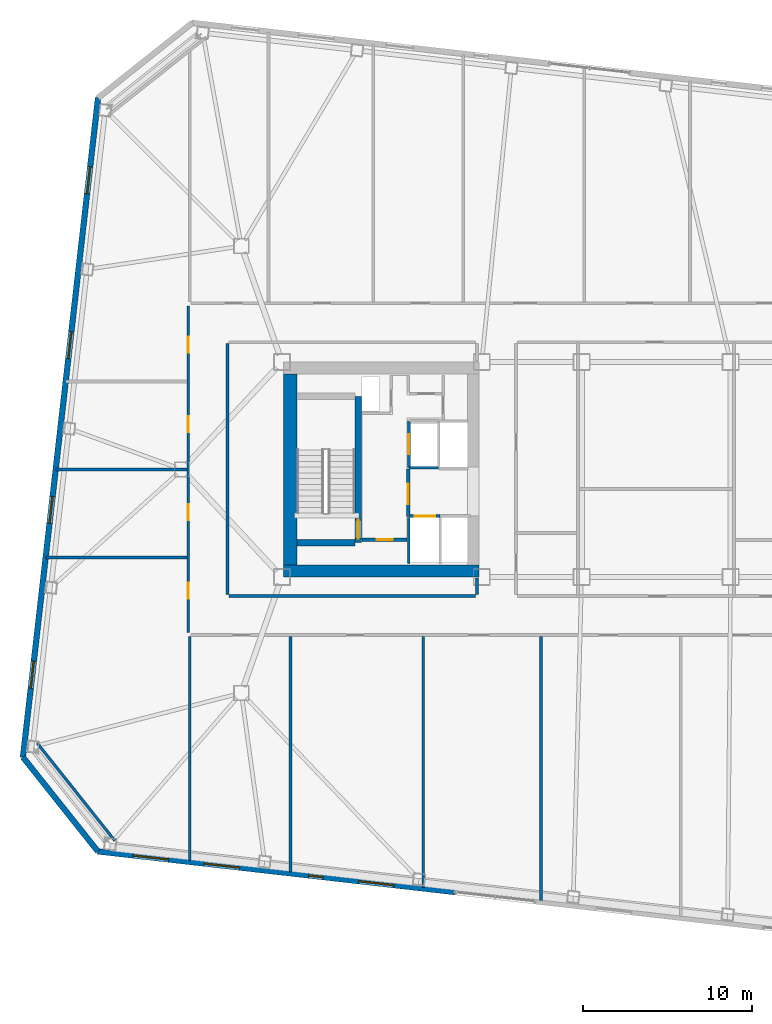
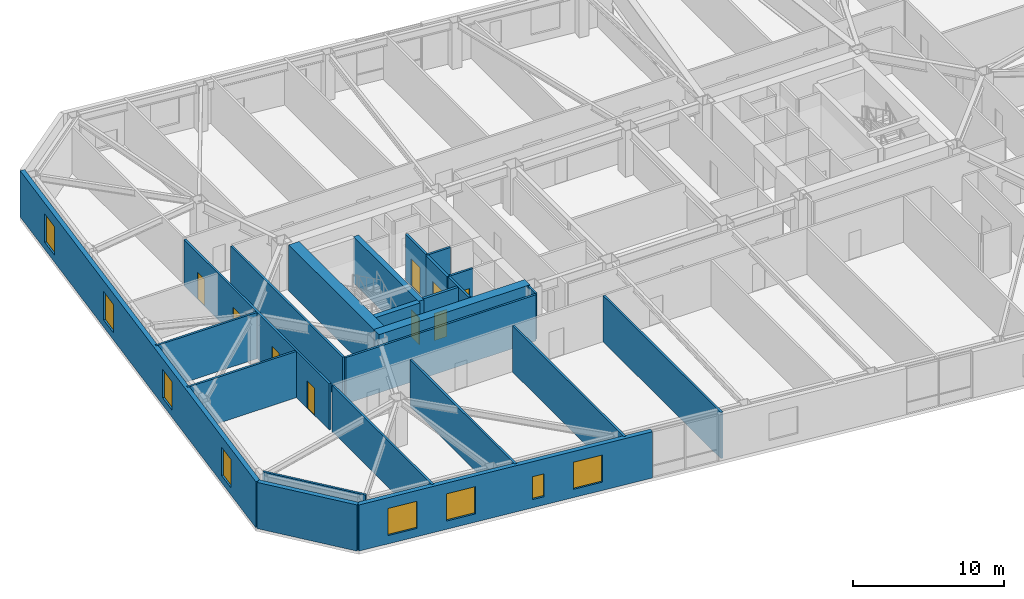
# One storey, part 13 of 23: 24 walls, 9 doors, 8 windows, 17 openings.
"""IFC4 building model written with IfcOpenShell, lengths in metres."""

from ifc_helpers import new_model, si_unit, direction, frame, frame_2d, origin, place, context, subcontext, project, spatial, rectangle, extrude, material, layer, layer_set, type_object, element, fill, save


model = new_model("IFC4")

# Units and contexts
model_context = context("Model", 3, precision=1e-05, world=origin(), true_north=direction((0.0, 1.0)))
body_context = subcontext(model_context, "Body", "Model", "MODEL_VIEW")
ifc_project = project(units=[si_unit("LENGTHUNIT", "METRE"), si_unit("AREAUNIT", "SQUARE_METRE"), si_unit("VOLUMEUNIT", "CUBIC_METRE"), si_unit("PLANEANGLEUNIT", "RADIAN"), si_unit("MASSUNIT", "GRAM", prefix="KILO")], contexts=[model_context])

# Site, building, storey
site_placement = place(None, origin())
site = spatial("IfcSite", under=ifc_project, at=site_placement, CompositionType="ELEMENT")
building_placement = place(site_placement, origin())
building = spatial("IfcBuilding", under=site, at=building_placement, Name="Tavrogorsk Clinical Tower", CompositionType="ELEMENT")
storey_placement = place(building_placement, frame((0.0, 0.0, 113.39990234375)))
storey = spatial("IfcBuildingStorey", under=building, at=storey_placement, Name="L25", CompositionType="ELEMENT", Elevation=113.39990234375)

# Wall, opening, door
ifc_material_1 = material(Name="Concrete B60", Category="concrete")
ifc_layer_1 = layer(ifc_material_1, 0.199951171875)
ifc_layer_set_1 = layer_set([ifc_layer_1], Name="Concrete B60")
wall_type_1 = type_object("IfcWallType", Name="CoreFireWall_200", PredefinedType="SOLIDWALL", material=ifc_layer_set_1)
wall_1_placement = place(storey_placement, frame((-17.3798828125, -4.139892578125, 0.0), z_axis=(0.0, 0.0, 1.0), x_axis=(1.0, 0.0, 0.0)))
wall_1 = element("IfcWall", 1, at=wall_1_placement, inside=storey, type_object=wall_type_1, Name="L25 Core West South Core Room Fire Wall", PredefinedType="SOLIDWALL", context=body_context, shape_type="SweptSolid", body=[
    extrude(rectangle(XDim=2.659912109375, YDim=0.199951171875, at=frame_2d((1.330078125, 0.0))), origin(), (0.0, 0.0, 1.0), 3.739990234375),
])
opening_1_placement = place(wall_1_placement, frame((0.8798828125, 0.0, 0.0)))
opening_1 = element("IfcOpeningElement", 2, at=opening_1_placement, cuts=wall_1, Name="Opening ID-02", PredefinedType="OPENING", context=body_context, shape_type="SweptSolid", body=[
    extrude(rectangle(XDim=0.949951171875, YDim=2.199951171875, at=frame_2d((0.47509765625, 1.10009765625))), frame((0.0, 0.10986328125, 0.0), z_axis=(0.0, -1.0, 0.0), x_axis=(1.0, 0.0, 0.0)), (0.0, 0.0, 1.0), 0.219970703125),
])
ifc_material_2 = material(Name="Laminated timber leaf on aluminium frame", Category="wood")
door_type_1 = type_object("IfcDoorType", Name="InteriorDoor_ID02_950", OperationType="NOTDEFINED", PredefinedType="DOOR", material=ifc_material_2)
door_1_placement = place(opening_1_placement, origin())
door_1 = element("IfcDoor", 3, at=door_1_placement, inside=storey, type_object=door_type_1, Name="L25 Core West South Core Room Door", OperationType="SINGLE_SWING_RIGHT", OverallHeight=2.199951171875, OverallWidth=0.949951171875, PredefinedType="DOOR", context=body_context, shape_type="SweptSolid", body=[
    extrude(rectangle(XDim=0.949951171875, YDim=2.199951171875, at=frame_2d((0.47509765625, 1.10009765625))), frame((0.0, 0.02490234375, 0.0), z_axis=(0.0, -1.0, 0.0), x_axis=(1.0, 0.0, 0.0)), (0.0, 0.0, 1.0), 0.050048828125),
])
fill(opening_1, door_1)

wall_2_placement = place(storey_placement, frame((-14.639892578125, -2.780029296875, 0.0), z_axis=(0.0, 0.0, 1.0), x_axis=(0.0, 1.0, 0.0)))
wall_2 = element("IfcWall", 4, at=wall_2_placement, inside=storey, type_object=wall_type_1, Name="L25 Core West Firefighting Lobby Fire Wall", PredefinedType="SOLIDWALL", context=body_context, shape_type="SweptSolid", body=[
    extrude(rectangle(XDim=2.820068359375, YDim=0.199951171875, at=frame_2d((1.41015625, 0.0))), origin(), (0.0, 0.0, 1.0), 3.739990234375),
])
opening_2_placement = place(wall_2_placement, frame((0.72998046875, 0.0, 0.0)))
opening_2 = element("IfcOpeningElement", 5, at=opening_2_placement, cuts=wall_2, Name="Opening FD-01", PredefinedType="OPENING", context=body_context, shape_type="SweptSolid", body=[
    extrude(rectangle(XDim=1.199951171875, YDim=2.199951171875, at=frame_2d((0.60009765625, 1.10009765625))), frame((0.0, 0.10986328125, 0.0), z_axis=(0.0, -1.0, 0.0), x_axis=(1.0, 0.0, 0.0)), (0.0, 0.0, 1.0), 0.219970703125),
])
ifc_material_3 = material(Name="Galvanised steel fire-rated door assembly", Category="steel")
door_type_2 = type_object("IfcDoorType", Name="FireDoor_FD01_1200", OperationType="NOTDEFINED", PredefinedType="DOOR", material=ifc_material_3)
door_2_placement = place(opening_2_placement, origin())
door_2 = element("IfcDoor", 6, at=door_2_placement, inside=storey, type_object=door_type_2, Name="L25 Core West Firefighting Lobby Entry Door", OperationType="SINGLE_SWING_LEFT", OverallHeight=2.199951171875, OverallWidth=1.199951171875, PredefinedType="DOOR", context=body_context, shape_type="SweptSolid", body=[
    extrude(rectangle(XDim=1.199951171875, YDim=2.199951171875, at=frame_2d((0.60009765625, 1.10009765625))), frame((0.0, 0.02490234375, 0.0), z_axis=(0.0, -1.0, 0.0), x_axis=(1.0, 0.0, 0.0)), (0.0, 0.0, 1.0), 0.050048828125),
])
fill(opening_2, door_2)

# Wall
ifc_material_4 = material(Name="Lightweight concrete blockwork B15", Category="masonry")
ifc_layer_2 = layer(ifc_material_4, 0.159912109375)
ifc_layer_set_2 = layer_set([ifc_layer_2], Name="Lightweight concrete blockwork B15")
wall_type_2 = type_object("IfcWallType", Name="PartitionWall_160", PredefinedType="PARTITIONING", material=ifc_layer_set_2)
wall_3_placement = place(storey_placement, frame((-36.555908203125, -16.161865234375, 0.0), z_axis=(0.0, 0.0, 1.0), x_axis=(0.622522641622, -0.782601789334, 0.0)))
element("IfcWall", 7, at=wall_3_placement, inside=storey, type_object=wall_type_2, Name="L25 Corner Exoskeleton Brace Furring Wall 4", PredefinedType="PARTITIONING", context=body_context, shape_type="SweptSolid", body=[
    extrude(rectangle(XDim=7.354248046875, YDim=0.159912109375, at=frame_2d((3.67724609375, 0.0))), origin(), (0.0, 0.0, 1.0), 3.739990234375),
])

# Wall, openings, doors
wall_4_placement = place(storey_placement, frame((-27.6298828125, -9.614990234375, 0.0), z_axis=(0.0, 0.0, 1.0), x_axis=(0.0, 1.0, 0.0)))
wall_4 = element("IfcWall", 8, at=wall_4_placement, inside=storey, type_object=wall_type_2, Name="L25 Corridor Partition 02", PredefinedType="PARTITIONING", context=body_context, shape_type="SweptSolid", body=[
    extrude(rectangle(XDim=19.280029296875, YDim=0.159912109375, at=frame_2d((9.64013671875, 0.0))), origin(), (0.0, 0.0, 1.0), 3.739990234375),
])
opening_3_placement = place(wall_4_placement, frame((1.968994140625, 0.0, 0.0)))
opening_3 = element("IfcOpeningElement", 9, at=opening_3_placement, cuts=wall_4, Name="Opening ID-02", PredefinedType="OPENING", context=body_context, shape_type="SweptSolid", body=[
    extrude(rectangle(XDim=0.949951171875, YDim=2.199951171875, at=frame_2d((0.47509765625, 1.10009765625))), frame((0.0, 0.08984375, 0.0), z_axis=(0.0, -1.0, 0.0), x_axis=(1.0, 0.0, 0.0)), (0.0, 0.0, 1.0), 0.179931640625),
])
opening_4_placement = place(wall_4_placement, frame((6.625, 0.0, 0.0)))
opening_4 = element("IfcOpeningElement", 10, at=opening_4_placement, cuts=wall_4, Name="Opening ID-02", PredefinedType="OPENING", context=body_context, shape_type="SweptSolid", body=[
    extrude(rectangle(XDim=0.949951171875, YDim=2.199951171875, at=frame_2d((0.47509765625, 1.10009765625))), frame((0.0, 0.08984375, 0.0), z_axis=(0.0, -1.0, 0.0), x_axis=(1.0, 0.0, 0.0)), (0.0, 0.0, 1.0), 0.179931640625),
])
opening_5_placement = place(wall_4_placement, frame((11.824951171875, 0.0, 0.0)))
opening_5 = element("IfcOpeningElement", 11, at=opening_5_placement, cuts=wall_4, Name="Opening ID-02", PredefinedType="OPENING", context=body_context, shape_type="SweptSolid", body=[
    extrude(rectangle(XDim=0.949951171875, YDim=2.199951171875, at=frame_2d((0.47509765625, 1.10009765625))), frame((0.0, 0.08984375, 0.0), z_axis=(0.0, -1.0, 0.0), x_axis=(1.0, 0.0, 0.0)), (0.0, 0.0, 1.0), 0.179931640625),
])
opening_6_placement = place(wall_4_placement, frame((16.505859375, 0.0, 0.0)))
opening_6 = element("IfcOpeningElement", 12, at=opening_6_placement, cuts=wall_4, Name="Opening ID-02", PredefinedType="OPENING", context=body_context, shape_type="SweptSolid", body=[
    extrude(rectangle(XDim=0.949951171875, YDim=2.199951171875, at=frame_2d((0.47509765625, 1.10009765625))), frame((0.0, 0.08984375, 0.0), z_axis=(0.0, -1.0, 0.0), x_axis=(1.0, 0.0, 0.0)), (0.0, 0.0, 1.0), 0.179931640625),
])
door_3_placement = place(opening_3_placement, origin())
door_3 = element("IfcDoor", 13, at=door_3_placement, inside=storey, type_object=door_type_1, Name="L25 W Solarium Day Room & Lounge 1 Door", OperationType="SINGLE_SWING_RIGHT", OverallHeight=2.199951171875, OverallWidth=0.949951171875, PredefinedType="DOOR", context=body_context, shape_type="SweptSolid", body=[
    extrude(rectangle(XDim=0.949951171875, YDim=2.199951171875, at=frame_2d((0.47509765625, 1.10009765625))), frame((0.0, 0.02490234375, 0.0), z_axis=(0.0, -1.0, 0.0), x_axis=(1.0, 0.0, 0.0)), (0.0, 0.0, 1.0), 0.050048828125),
])
fill(opening_3, door_3)
door_4_placement = place(opening_4_placement, origin())
door_4 = element("IfcDoor", 14, at=door_4_placement, inside=storey, type_object=door_type_1, Name="L25 W Rehabilitation Therapy Suite 2 Door", OperationType="SINGLE_SWING_LEFT", OverallHeight=2.199951171875, OverallWidth=0.949951171875, PredefinedType="DOOR", context=body_context, shape_type="SweptSolid", body=[
    extrude(rectangle(XDim=0.949951171875, YDim=2.199951171875, at=frame_2d((0.47509765625, 1.10009765625))), frame((0.0, 0.02490234375, 0.0), z_axis=(0.0, -1.0, 0.0), x_axis=(1.0, 0.0, 0.0)), (0.0, 0.0, 1.0), 0.050048828125),
])
fill(opening_4, door_4)
door_5_placement = place(opening_5_placement, origin())
door_5 = element("IfcDoor", 15, at=door_5_placement, inside=storey, type_object=door_type_1, Name="L25 W Sub-Acute Observation Suite 3 Door", OperationType="SINGLE_SWING_RIGHT", OverallHeight=2.199951171875, OverallWidth=0.949951171875, PredefinedType="DOOR", context=body_context, shape_type="SweptSolid", body=[
    extrude(rectangle(XDim=0.949951171875, YDim=2.199951171875, at=frame_2d((0.47509765625, 1.10009765625))), frame((0.0, 0.02490234375, 0.0), z_axis=(0.0, -1.0, 0.0), x_axis=(1.0, 0.0, 0.0)), (0.0, 0.0, 1.0), 0.050048828125),
])
fill(opening_5, door_5)
door_6_placement = place(opening_6_placement, origin())
door_6 = element("IfcDoor", 16, at=door_6_placement, inside=storey, type_object=door_type_1, Name="L25 W Family Consultation Lounge 4 Door", OperationType="SINGLE_SWING_LEFT", OverallHeight=2.199951171875, OverallWidth=0.949951171875, PredefinedType="DOOR", context=body_context, shape_type="SweptSolid", body=[
    extrude(rectangle(XDim=0.949951171875, YDim=2.199951171875, at=frame_2d((0.47509765625, 1.10009765625))), frame((0.0, 0.02490234375, 0.0), z_axis=(0.0, -1.0, 0.0), x_axis=(1.0, 0.0, 0.0)), (0.0, 0.0, 1.0), 0.050048828125),
])
fill(opening_6, door_6)

# Walls
wall_5_placement = place(storey_placement, frame((-10.580078125, -7.385009765625, 0.0), z_axis=(0.0, 0.0, 1.0), x_axis=(0.0, 1.0, 0.0)))
element("IfcWall", 17, at=wall_5_placement, inside=storey, type_object=wall_type_2, Name="L25 Corridor Partition 18", PredefinedType="PARTITIONING", context=body_context, shape_type="SweptSolid", body=[
    extrude(rectangle(XDim=0.965087890625, YDim=0.159912109375, at=frame_2d((0.482421875, 0.0))), origin(), (0.0, 0.0, 1.0), 3.739990234375),
])
wall_6_placement = place(storey_placement, frame((-25.320068359375, 7.43505859375, 0.0), z_axis=(0.0, 0.0, 1.0), x_axis=(0.0, -1.0, 0.0)))
element("IfcWall", 18, at=wall_6_placement, inside=storey, type_object=wall_type_2, Name="L25 Corridor Partition 21", PredefinedType="PARTITIONING", context=body_context, shape_type="SweptSolid", body=[
    extrude(rectangle(XDim=14.820068359375, YDim=0.159912109375, at=frame_2d((7.41015625, 0.0))), origin(), (0.0, 0.0, 1.0), 3.739990234375),
])
wall_7_placement = place(storey_placement, frame((-25.235107421875, -7.469970703125, 0.0), z_axis=(0.0, 0.0, 1.0), x_axis=(1.0, 0.0, 0.0)))
element("IfcWall", 19, at=wall_7_placement, inside=storey, type_object=wall_type_2, Name="L25 Corridor Partition 22", PredefinedType="PARTITIONING", context=body_context, shape_type="SweptSolid", body=[
    extrude(rectangle(XDim=14.570068359375, YDim=0.159912109375, at=frame_2d((7.28515625, 0.0))), origin(), (0.0, 0.0, 1.0), 3.739990234375),
])
wall_8_placement = place(storey_placement, frame((-27.550048828125, -23.1064453125, 0.0), z_axis=(0.0, 0.0, 1.0), x_axis=(0.0, 1.0, 0.0)))
element("IfcWall", 20, at=wall_8_placement, inside=storey, type_object=wall_type_2, Name="L25 SW Wing Closure Partition", PredefinedType="PARTITIONING", context=body_context, shape_type="SweptSolid", body=[
    extrude(rectangle(XDim=13.241455078125, YDim=0.159912109375, at=frame_2d((6.62060546875, 0.0))), origin(), (0.0, 0.0, 1.0), 3.739990234375),
])
wall_9_placement = place(storey_placement, frame((-21.60009765625, -23.784423828125, 0.0), z_axis=(0.0, 0.0, 1.0), x_axis=(0.0, 1.0, 0.0)))
element("IfcWall", 21, at=wall_9_placement, inside=storey, type_object=wall_type_2, Name="L25 South Room Partition 1", PredefinedType="PARTITIONING", context=body_context, shape_type="SweptSolid", body=[
    extrude(rectangle(XDim=13.91943359375, YDim=0.159912109375, at=frame_2d((6.959716796875, 0.0))), origin(), (0.0, 0.0, 1.0), 3.739990234375),
])
wall_10_placement = place(storey_placement, frame((-6.800048828125, -25.470703125, 0.0), z_axis=(0.0, 0.0, 1.0), x_axis=(0.0, 1.0, 0.0)))
element("IfcWall", 22, at=wall_10_placement, inside=storey, type_object=wall_type_2, Name="L25 South Room Partition 2", PredefinedType="PARTITIONING", context=body_context, shape_type="SweptSolid", body=[
    extrude(rectangle(XDim=15.605712890625, YDim=0.159912109375, at=frame_2d((7.802734375, 0.0))), origin(), (0.0, 0.0, 1.0), 3.739990234375),
])
wall_11_placement = place(storey_placement, frame((-13.75, -24.6787109375, 0.0), z_axis=(0.0, 0.0, 1.0), x_axis=(0.0, 1.0, 0.0)))
element("IfcWall", 23, at=wall_11_placement, inside=storey, type_object=wall_type_2, Name="L25 South Sub-Partition 2", PredefinedType="PARTITIONING", context=body_context, shape_type="SweptSolid", body=[
    extrude(rectangle(XDim=14.813720703125, YDim=0.159912109375, at=frame_2d((7.40673828125, 0.0))), origin(), (0.0, 0.0, 1.0), 3.739990234375),
])
wall_12_placement = place(storey_placement, frame((-36.0419921875, -5.199951171875, 0.0), z_axis=(0.0, 0.0, 1.0), x_axis=(1.0, 0.0, 0.0)))
element("IfcWall", 24, at=wall_12_placement, inside=storey, type_object=wall_type_2, Name="L25 W Wing Divider 1", PredefinedType="PARTITIONING", context=body_context, shape_type="SweptSolid", body=[
    extrude(rectangle(XDim=8.326904296875, YDim=0.159912109375, at=frame_2d((4.16357421875, 0.0))), origin(), (0.0, 0.0, 1.0), 3.739990234375),
])
wall_13_placement = place(storey_placement, frame((-35.449462890625, 0.0, 0.0), z_axis=(0.0, 0.0, 1.0), x_axis=(1.0, 0.0, 0.0)))
element("IfcWall", 25, at=wall_13_placement, inside=storey, type_object=wall_type_2, Name="L25 W Wing Divider 2", PredefinedType="PARTITIONING", context=body_context, shape_type="SweptSolid", body=[
    extrude(rectangle(XDim=7.734375, YDim=0.159912109375, at=frame_2d((3.8671875, 0.0))), origin(), (0.0, 0.0, 1.0), 3.739990234375),
])

# Wall, openings, windows
ifc_material_5 = material(Name="Precast concrete B45 with limestone cladding", Category="masonry")
ifc_layer_3 = layer(ifc_material_5, 0.340087890625)
ifc_layer_set_3 = layer_set([ifc_layer_3], Name="Precast concrete B45 with limestone cladding")
wall_type_3 = type_object("IfcWallType", Name="PrecastLimestoneWall_340", PredefinedType="STANDARD", material=ifc_layer_set_3)
wall_14_placement = place(storey_placement, frame((-32.977294921875, -22.55859375, 0.0), z_axis=(0.0, 0.0, 1.0), x_axis=(0.993571214605, -0.113208840243, 0.0)))
wall_14 = element("IfcWall", 26, at=wall_14_placement, inside=storey, type_object=wall_type_3, Name="L25 S Limestone Facade Wall 1", PredefinedType="STANDARD", context=body_context, shape_type="SweptSolid", body=[
    extrude(rectangle(XDim=21.22265625, YDim=0.340087890625, at=frame_2d((10.611328125, 0.0))), origin(), (0.0, 0.0, 1.0), 3.739990234375),
])
opening_7_placement = place(wall_14_placement, frame((2.10791015625, 0.0, 0.669921875)))
opening_7 = element("IfcOpeningElement", 27, at=opening_7_placement, cuts=wall_14, Name="Opening WN-03", PredefinedType="OPENING", context=body_context, shape_type="SweptSolid", body=[
    extrude(rectangle(XDim=2.10009765625, YDim=2.199951171875, at=frame_2d((1.050048828125, 1.10009765625))), frame((0.0, 0.179931640625, 0.0), z_axis=(0.0, -1.0, 0.0), x_axis=(1.0, 0.0, 0.0)), (0.0, 0.0, 1.0), 0.360107421875),
])
opening_8_placement = place(wall_14_placement, frame((6.329345703125, 0.0, 0.669921875)))
opening_8 = element("IfcOpeningElement", 28, at=opening_8_placement, cuts=wall_14, Name="Opening WN-03", PredefinedType="OPENING", context=body_context, shape_type="SweptSolid", body=[
    extrude(rectangle(XDim=2.10009765625, YDim=2.199951171875, at=frame_2d((1.050048828125, 1.10009765625))), frame((0.0, 0.179931640625, 0.0), z_axis=(0.0, -1.0, 0.0), x_axis=(1.0, 0.0, 0.0)), (0.0, 0.0, 1.0), 0.360107421875),
])
opening_9_placement = place(wall_14_placement, frame((12.534912109375, 0.0, 0.669921875)))
opening_9 = element("IfcOpeningElement", 29, at=opening_9_placement, cuts=wall_14, Name="Opening WN-06", PredefinedType="OPENING", context=body_context, shape_type="SweptSolid", body=[
    extrude(rectangle(XDim=0.85009765625, YDim=1.85009765625, at=frame_2d((0.425048828125, 0.925048828125))), frame((0.0, 0.179931640625, 0.0), z_axis=(0.0, -1.0, 0.0), x_axis=(1.0, 0.0, 0.0)), (0.0, 0.0, 1.0), 0.360107421875),
])
opening_10_placement = place(wall_14_placement, frame((15.50634765625, 0.0, 0.669921875)))
opening_10 = element("IfcOpeningElement", 30, at=opening_10_placement, cuts=wall_14, Name="Opening WN-03", PredefinedType="OPENING", context=body_context, shape_type="SweptSolid", body=[
    extrude(rectangle(XDim=2.10009765625, YDim=2.199951171875, at=frame_2d((1.050048828125, 1.10009765625))), frame((0.0, 0.179931640625, 0.0), z_axis=(0.0, -1.0, 0.0), x_axis=(1.0, 0.0, 0.0)), (0.0, 0.0, 1.0), 0.360107421875),
])
ifc_material_6 = material(Name="Thermally broken aluminium frame and triple IGU", Category="aluminium")
window_type_1 = type_object("IfcWindowType", Name="MullionSubWin_850x1850", PartitioningType="SINGLE_PANEL", PredefinedType="WINDOW", material=ifc_material_6)
window_1_placement = place(opening_9_placement, origin())
window_1 = element("IfcWindow", 31, at=window_1_placement, inside=storey, type_object=window_type_1, Name="L25 S Mullion Split Window 03B", OverallHeight=1.85009765625, OverallWidth=0.85009765625, PartitioningType="SINGLE_PANEL", PredefinedType="WINDOW", context=body_context, shape_type="SweptSolid", body=[
    extrude(rectangle(XDim=0.85009765625, YDim=1.85009765625, at=frame_2d((0.425048828125, 0.925048828125))), frame((0.0, 0.030029296875, 0.0), z_axis=(0.0, -1.0, 0.0), x_axis=(1.0, 0.0, 0.0)), (0.0, 0.0, 1.0), 0.06005859375),
])
fill(opening_9, window_1)
ifc_material_7 = material(Name="Thermally broken aluminium frame and triple IGU", Category="aluminium")
window_type_2 = type_object("IfcWindowType", Name="PatientTwinWin_2100x2200", PartitioningType="DOUBLE_PANEL_VERTICAL", PredefinedType="WINDOW", material=ifc_material_7)
window_2_placement = place(opening_7_placement, origin())
window_2 = element("IfcWindow", 32, at=window_2_placement, inside=storey, type_object=window_type_2, Name="L25 S Chicago Window 01", OverallHeight=2.199951171875, OverallWidth=2.10009765625, PartitioningType="SINGLE_PANEL", PredefinedType="WINDOW", context=body_context, shape_type="SweptSolid", body=[
    extrude(rectangle(XDim=2.10009765625, YDim=2.199951171875, at=frame_2d((1.050048828125, 1.10009765625))), frame((0.0, 0.030029296875, 0.0), z_axis=(0.0, -1.0, 0.0), x_axis=(1.0, 0.0, 0.0)), (0.0, 0.0, 1.0), 0.06005859375),
])
fill(opening_7, window_2)
window_3_placement = place(opening_8_placement, origin())
window_3 = element("IfcWindow", 33, at=window_3_placement, inside=storey, type_object=window_type_2, Name="L25 S Chicago Window 02", OverallHeight=2.199951171875, OverallWidth=2.10009765625, PartitioningType="SINGLE_PANEL", PredefinedType="WINDOW", context=body_context, shape_type="SweptSolid", body=[
    extrude(rectangle(XDim=2.10009765625, YDim=2.199951171875, at=frame_2d((1.050048828125, 1.10009765625))), frame((0.0, 0.030029296875, 0.0), z_axis=(0.0, -1.0, 0.0), x_axis=(1.0, 0.0, 0.0)), (0.0, 0.0, 1.0), 0.06005859375),
])
fill(opening_8, window_3)
window_4_placement = place(opening_10_placement, origin())
window_4 = element("IfcWindow", 34, at=window_4_placement, inside=storey, type_object=window_type_2, Name="L25 S Chicago Window 04", OverallHeight=2.199951171875, OverallWidth=2.10009765625, PartitioningType="SINGLE_PANEL", PredefinedType="WINDOW", context=body_context, shape_type="SweptSolid", body=[
    extrude(rectangle(XDim=2.10009765625, YDim=2.199951171875, at=frame_2d((1.050048828125, 1.10009765625))), frame((0.0, 0.030029296875, 0.0), z_axis=(0.0, -1.0, 0.0), x_axis=(1.0, 0.0, 0.0)), (0.0, 0.0, 1.0), 0.06005859375),
])
fill(opening_10, window_4)

wall_15_placement = place(storey_placement, frame((-32.968017578125, 21.95654296875, 0.0), z_axis=(0.0, 0.0, 1.0), x_axis=(-0.113201605824, -0.993572038877, 0.0)))
wall_15 = element("IfcWall", 35, at=wall_15_placement, inside=storey, type_object=wall_type_3, Name="L25 W Pleated Limestone Wing Wall", PredefinedType="STANDARD", context=body_context, shape_type="SweptSolid", body=[
    extrude(rectangle(XDim=39.199951171875, YDim=0.340087890625, at=frame_2d((19.60009765625, 0.0))), origin(), (0.0, 0.0, 1.0), 3.739990234375),
])
opening_11_placement = place(wall_15_placement, frame((4.10009765625, 0.0, 0.580078125)))
opening_11 = element("IfcOpeningElement", 36, at=opening_11_placement, cuts=wall_15, Name="Opening WN-07", PredefinedType="OPENING", context=body_context, shape_type="SweptSolid", body=[
    extrude(rectangle(XDim=1.60009765625, YDim=2.300048828125, at=frame_2d((0.800048828125, 1.14990234375))), frame((0.0, 0.179931640625, 0.0), z_axis=(0.0, -1.0, 0.0), x_axis=(1.0, 0.0, 0.0)), (0.0, 0.0, 1.0), 0.360107421875),
])
opening_12_placement = place(wall_15_placement, frame((13.89990234375, 0.0, 0.580078125)))
opening_12 = element("IfcOpeningElement", 37, at=opening_12_placement, cuts=wall_15, Name="Opening WN-07", PredefinedType="OPENING", context=body_context, shape_type="SweptSolid", body=[
    extrude(rectangle(XDim=1.60009765625, YDim=2.300048828125, at=frame_2d((0.800048828125, 1.14990234375))), frame((0.0, 0.179931640625, 0.0), z_axis=(0.0, -1.0, 0.0), x_axis=(1.0, 0.0, 0.0)), (0.0, 0.0, 1.0), 0.360107421875),
])
opening_13_placement = place(wall_15_placement, frame((23.699951171875, 0.0, 0.580078125)))
opening_13 = element("IfcOpeningElement", 38, at=opening_13_placement, cuts=wall_15, Name="Opening WN-07", PredefinedType="OPENING", context=body_context, shape_type="SweptSolid", body=[
    extrude(rectangle(XDim=1.60009765625, YDim=2.300048828125, at=frame_2d((0.800048828125, 1.14990234375))), frame((0.0, 0.179931640625, 0.0), z_axis=(0.0, -1.0, 0.0), x_axis=(1.0, 0.0, 0.0)), (0.0, 0.0, 1.0), 0.360107421875),
])
opening_14_placement = place(wall_15_placement, frame((33.5, 0.0, 0.580078125)))
opening_14 = element("IfcOpeningElement", 39, at=opening_14_placement, cuts=wall_15, Name="Opening WN-07", PredefinedType="OPENING", context=body_context, shape_type="SweptSolid", body=[
    extrude(rectangle(XDim=1.60009765625, YDim=2.300048828125, at=frame_2d((0.800048828125, 1.14990234375))), frame((0.0, 0.179931640625, 0.0), z_axis=(0.0, -1.0, 0.0), x_axis=(1.0, 0.0, 0.0)), (0.0, 0.0, 1.0), 0.360107421875),
])
ifc_material_8 = material(Name="Thermally broken aluminium frame and triple IGU", Category="aluminium")
window_type_3 = type_object("IfcWindowType", Name="PleatSlotWin_1600x2300", PartitioningType="SINGLE_PANEL", PredefinedType="WINDOW", material=ifc_material_8)
window_5_placement = place(opening_11_placement, origin())
window_5 = element("IfcWindow", 40, at=window_5_placement, inside=storey, type_object=window_type_3, Name="L25 W Pleat Slot Window 1", OverallHeight=2.300048828125, OverallWidth=1.60009765625, PartitioningType="SINGLE_PANEL", PredefinedType="WINDOW", context=body_context, shape_type="SweptSolid", body=[
    extrude(rectangle(XDim=1.60009765625, YDim=2.300048828125, at=frame_2d((0.800048828125, 1.14990234375))), frame((0.0, 0.030029296875, 0.0), z_axis=(0.0, -1.0, 0.0), x_axis=(1.0, 0.0, 0.0)), (0.0, 0.0, 1.0), 0.06005859375),
])
fill(opening_11, window_5)
window_6_placement = place(opening_12_placement, origin())
window_6 = element("IfcWindow", 41, at=window_6_placement, inside=storey, type_object=window_type_3, Name="L25 W Pleat Slot Window 2", OverallHeight=2.300048828125, OverallWidth=1.60009765625, PartitioningType="SINGLE_PANEL", PredefinedType="WINDOW", context=body_context, shape_type="SweptSolid", body=[
    extrude(rectangle(XDim=1.60009765625, YDim=2.300048828125, at=frame_2d((0.800048828125, 1.14990234375))), frame((0.0, 0.030029296875, 0.0), z_axis=(0.0, -1.0, 0.0), x_axis=(1.0, 0.0, 0.0)), (0.0, 0.0, 1.0), 0.06005859375),
])
fill(opening_12, window_6)
window_7_placement = place(opening_13_placement, origin())
window_7 = element("IfcWindow", 42, at=window_7_placement, inside=storey, type_object=window_type_3, Name="L25 W Pleat Slot Window 3", OverallHeight=2.300048828125, OverallWidth=1.60009765625, PartitioningType="SINGLE_PANEL", PredefinedType="WINDOW", context=body_context, shape_type="SweptSolid", body=[
    extrude(rectangle(XDim=1.60009765625, YDim=2.300048828125, at=frame_2d((0.800048828125, 1.14990234375))), frame((0.0, 0.030029296875, 0.0), z_axis=(0.0, -1.0, 0.0), x_axis=(1.0, 0.0, 0.0)), (0.0, 0.0, 1.0), 0.06005859375),
])
fill(opening_13, window_7)
window_8_placement = place(opening_14_placement, origin())
window_8 = element("IfcWindow", 43, at=window_8_placement, inside=storey, type_object=window_type_3, Name="L25 W Pleat Slot Window 4", OverallHeight=2.300048828125, OverallWidth=1.60009765625, PartitioningType="SINGLE_PANEL", PredefinedType="WINDOW", context=body_context, shape_type="SweptSolid", body=[
    extrude(rectangle(XDim=1.60009765625, YDim=2.300048828125, at=frame_2d((0.800048828125, 1.14990234375))), frame((0.0, 0.030029296875, 0.0), z_axis=(0.0, -1.0, 0.0), x_axis=(1.0, 0.0, 0.0)), (0.0, 0.0, 1.0), 0.06005859375),
])
fill(opening_14, window_8)

# Wall
wall_16_placement = place(storey_placement, frame((-37.405517578125, -16.991455078125, 0.0), z_axis=(0.0, 0.0, 1.0), x_axis=(0.622507800567, -0.78261359446, 0.0)))
element("IfcWall", 44, at=wall_16_placement, inside=storey, type_object=wall_type_3, Name="L25 Chamfered Corner Wall 4", PredefinedType="STANDARD", context=body_context, shape_type="SweptSolid", body=[
    extrude(rectangle(XDim=7.113525390625, YDim=0.340087890625, at=frame_2d((3.556640625, 0.0))), origin(), (0.0, 0.0, 1.0), 3.739990234375),
])

# Wall, opening, door
ifc_material_9 = material(Name="Lightweight concrete blockwork B25", Category="masonry")
ifc_layer_4 = layer(ifc_material_9, 0.159912109375)
ifc_layer_set_4 = layer_set([ifc_layer_4], Name="Lightweight concrete blockwork B25")
wall_type_4 = type_object("IfcWallType", Name="ShaftWall_160", PredefinedType="PARTITIONING", material=ifc_layer_set_4)
wall_17_placement = place(storey_placement, frame((-14.60009765625, 0.1201171875, 0.0), z_axis=(0.0, 0.0, 1.0), x_axis=(0.0, 1.0, 0.0)))
wall_17 = element("IfcWall", 45, at=wall_17_placement, inside=storey, type_object=wall_type_4, Name="L25 FFL-W Firefighting Lift Front Wall", PredefinedType="PARTITIONING", context=body_context, shape_type="SweptSolid", body=[
    extrude(rectangle(XDim=2.739990234375, YDim=0.159912109375, at=frame_2d((1.3701171875, 0.0))), origin(), (0.0, 0.0, 1.0), 3.739990234375),
])
opening_15_placement = place(wall_17_placement, frame((0.77001953125, 0.0, 0.0)))
opening_15 = element("IfcOpeningElement", 46, at=opening_15_placement, cuts=wall_17, Name="Opening LD", PredefinedType="OPENING", context=body_context, shape_type="SweptSolid", body=[
    extrude(rectangle(XDim=1.199951171875, YDim=2.199951171875, at=frame_2d((0.60009765625, 1.10009765625))), frame((0.0, 0.08984375, 0.0), z_axis=(0.0, -1.0, 0.0), x_axis=(1.0, 0.0, 0.0)), (0.0, 0.0, 1.0), 0.179931640625),
])
ifc_material_10 = material(Name="Brushed stainless steel AISI 304 sliding doors", Category="steel")
door_type_3 = type_object("IfcDoorType", Name="LiftLandingDoor_LD_1200", OperationType="SLIDING_TO_LEFT", PredefinedType="DOOR", material=ifc_material_10)
door_7_placement = place(opening_15_placement, origin())
door_7 = element("IfcDoor", 47, at=door_7_placement, inside=storey, type_object=door_type_3, Name="L25 FFL-W Sliding Lift Landing Door", OperationType="SLIDING_TO_LEFT", OverallHeight=2.199951171875, OverallWidth=1.199951171875, PredefinedType="DOOR", context=body_context, shape_type="SweptSolid", body=[
    extrude(rectangle(XDim=1.199951171875, YDim=2.199951171875, at=frame_2d((0.60009765625, 1.10009765625))), frame((0.0, 0.02490234375, 0.0), z_axis=(0.0, -1.0, 0.0), x_axis=(1.0, 0.0, 0.0)), (0.0, 0.0, 1.0), 0.050048828125),
])
fill(opening_15, door_7)

# Wall
wall_18_placement = place(storey_placement, frame((-14.60009765625, 0.10009765625, 0.0), z_axis=(0.0, 0.0, 1.0), x_axis=(1.0, 0.0, 0.0)))
element("IfcWall", 48, at=wall_18_placement, inside=storey, type_object=wall_type_4, Name="L25 FFL-W Shaft South Wall", PredefinedType="PARTITIONING", context=body_context, shape_type="SweptSolid", body=[
    extrude(rectangle(XDim=1.760009765625, YDim=0.159912109375, at=frame_2d((0.8798828125, 0.0))), origin(), (0.0, 0.0, 1.0), 3.739990234375),
])

# Wall, opening, door
wall_19_placement = place(storey_placement, frame((-14.530029296875, -2.75, 0.0), z_axis=(0.0, 0.0, 1.0), x_axis=(1.0, 0.0, 0.0)))
wall_19 = element("IfcWall", 49, at=wall_19_placement, inside=storey, type_object=wall_type_4, Name="L25 LP-L1 Lift Shaft Portal Wall", PredefinedType="PARTITIONING", context=body_context, shape_type="SweptSolid", body=[
    extrude(rectangle(XDim=1.760009765625, YDim=0.159912109375, at=frame_2d((0.8798828125, 0.0))), origin(), (0.0, 0.0, 1.0), 3.739990234375),
])
opening_16_placement = place(wall_19_placement, frame((0.280029296875, 0.0, 0.0)))
opening_16 = element("IfcOpeningElement", 50, at=opening_16_placement, cuts=wall_19, Name="Opening LD", PredefinedType="OPENING", context=body_context, shape_type="SweptSolid", body=[
    extrude(rectangle(XDim=1.199951171875, YDim=2.199951171875, at=frame_2d((0.60009765625, 1.10009765625))), frame((0.0, 0.08984375, 0.0), z_axis=(0.0, -1.0, 0.0), x_axis=(1.0, 0.0, 0.0)), (0.0, 0.0, 1.0), 0.179931640625),
])
door_8_placement = place(opening_16_placement, origin())
door_8 = element("IfcDoor", 51, at=door_8_placement, inside=storey, type_object=door_type_3, Name="L25 LP-L1 Sliding Lift Landing Door", OperationType="SLIDING_TO_LEFT", OverallHeight=2.199951171875, OverallWidth=1.199951171875, PredefinedType="DOOR", context=body_context, shape_type="SweptSolid", body=[
    extrude(rectangle(XDim=1.199951171875, YDim=2.199951171875, at=frame_2d((0.60009765625, 1.10009765625))), frame((0.0, 0.02490234375, 0.0), z_axis=(0.0, -1.0, 0.0), x_axis=(1.0, 0.0, 0.0)), (0.0, 0.0, 1.0), 0.050048828125),
])
fill(opening_16, door_8)

# Wall
wall_20_placement = place(storey_placement, frame((-14.610107421875, -5.5400390625, 0.0), z_axis=(0.0, 0.0, 1.0), x_axis=(0.0, 1.0, 0.0)))
element("IfcWall", 52, at=wall_20_placement, inside=storey, type_object=wall_type_4, Name="L25 LP-L1 Lift Hoistway Outer Cheek Wall", PredefinedType="PARTITIONING", context=body_context, shape_type="SweptSolid", body=[
    extrude(rectangle(XDim=2.699951171875, YDim=0.159912109375, at=frame_2d((1.35009765625, 0.0))), origin(), (0.0, 0.0, 1.0), 3.739990234375),
])

# Wall, opening, door
ifc_material_11 = material(Name="Concrete B80", Category="concrete")
ifc_layer_5 = layer(ifc_material_11, 0.39990234375)
ifc_layer_set_5 = layer_set([ifc_layer_5], Name="Concrete B80")
wall_type_5 = type_object("IfcWallType", Name="ShearWall_400", PredefinedType="SHEAR", material=ifc_layer_set_5)
wall_21_placement = place(storey_placement, frame((-17.60009765625, -4.324951171875, 0.0), z_axis=(0.0, 0.0, 1.0), x_axis=(0.0, 1.0, 0.0)))
wall_21 = element("IfcWall", 53, at=wall_21_placement, inside=storey, type_object=wall_type_5, Name="L25 Core West Stair Shaft Inner Shear Wall", PredefinedType="SHEAR", context=body_context, shape_type="SweptSolid", body=[
    extrude(rectangle(XDim=8.64990234375, YDim=0.39990234375, at=frame_2d((4.324951171875, 0.0))), origin(), (0.0, 0.0, 1.0), 3.739990234375),
])
opening_17_placement = place(wall_21_placement, frame((0.25, 0.0, 0.0)))
opening_17 = element("IfcOpeningElement", 54, at=opening_17_placement, cuts=wall_21, Name="Opening SD-01", PredefinedType="OPENING", context=body_context, shape_type="SweptSolid", body=[
    extrude(rectangle(XDim=1.10009765625, YDim=2.199951171875, at=frame_2d((0.550048828125, 1.10009765625))), frame((0.0, 0.2099609375, 0.0), z_axis=(0.0, -1.0, 0.0), x_axis=(1.0, 0.0, 0.0)), (0.0, 0.0, 1.0), 0.419921875),
])
ifc_material_12 = material(Name="Galvanised steel smoke-tight fire door assembly", Category="steel")
door_type_4 = type_object("IfcDoorType", Name="StairFireDoor_SD01_1100", OperationType="NOTDEFINED", PredefinedType="DOOR", material=ifc_material_12)
door_9_placement = place(opening_17_placement, origin())
door_9 = element("IfcDoor", 55, at=door_9_placement, inside=storey, type_object=door_type_4, Name="L25 ST-W Exit Stair Door", OperationType="SINGLE_SWING_RIGHT", OverallHeight=2.199951171875, OverallWidth=1.10009765625, PredefinedType="DOOR", context=body_context, shape_type="SweptSolid", body=[
    extrude(rectangle(XDim=1.10009765625, YDim=2.199951171875, at=frame_2d((0.550048828125, 1.10009765625))), frame((0.0, 0.02490234375, 0.0), z_axis=(0.0, -1.0, 0.0), x_axis=(1.0, 0.0, 0.0)), (0.0, 0.0, 1.0), 0.050048828125),
])
fill(opening_17, door_9)

# Walls
wall_22_placement = place(storey_placement, frame((-21.199951171875, -4.324951171875, 0.0), z_axis=(0.0, 0.0, 1.0), x_axis=(1.0, 0.0, 0.0)))
element("IfcWall", 56, at=wall_22_placement, inside=storey, type_object=wall_type_5, Name="L25 Core West Stair Shaft South Shear Wall", PredefinedType="SHEAR", context=body_context, shape_type="SweptSolid", body=[
    extrude(rectangle(XDim=3.39990234375, YDim=0.39990234375, at=frame_2d((1.699951171875, 0.0))), origin(), (0.0, 0.0, 1.0), 3.739990234375),
])
ifc_material_13 = material(Name="Concrete B80", Category="concrete")
ifc_layer_6 = layer(ifc_material_13, 0.699951171875)
ifc_layer_set_6 = layer_set([ifc_layer_6], Name="Concrete B80")
wall_type_6 = type_object("IfcWallType", Name="ShearWall_700", PredefinedType="SHEAR", material=ifc_layer_set_6)
wall_23_placement = place(storey_placement, frame((-22.0, -6.0, 0.0), z_axis=(0.0, 0.0, 1.0), x_axis=(1.0, 0.0, 0.0)))
element("IfcWall", 57, at=wall_23_placement, inside=storey, type_object=wall_type_6, Name="L25 Core West South Shear Wall", PredefinedType="SHEAR", context=body_context, shape_type="SweptSolid", body=[
    extrude(rectangle(XDim=11.550048828125, YDim=0.699951171875, at=frame_2d((5.77490234375, 0.0))), origin(), (0.0, 0.0, 1.0), 3.739990234375),
])
ifc_material_14 = material(Name="Concrete B80", Category="concrete")
ifc_layer_7 = layer(ifc_material_14, 0.800048828125)
ifc_layer_set_7 = layer_set([ifc_layer_7], Name="Concrete B80")
wall_type_7 = type_object("IfcWallType", Name="ShearWall_800", PredefinedType="SHEAR", material=ifc_layer_set_7)
wall_24_placement = place(storey_placement, frame((-21.60009765625, -5.64990234375, 0.0), z_axis=(0.0, 0.0, 1.0), x_axis=(0.0, 1.0, 0.0)))
element("IfcWall", 58, at=wall_24_placement, inside=storey, type_object=wall_type_7, Name="L25 Core West End Shear Wall", PredefinedType="SHEAR", context=body_context, shape_type="SweptSolid", body=[
    extrude(rectangle(XDim=11.2998046875, YDim=0.800048828125, at=frame_2d((5.64990234375, 0.0))), origin(), (0.0, 0.0, 1.0), 3.739990234375),
])

save(model, "model.ifc")
